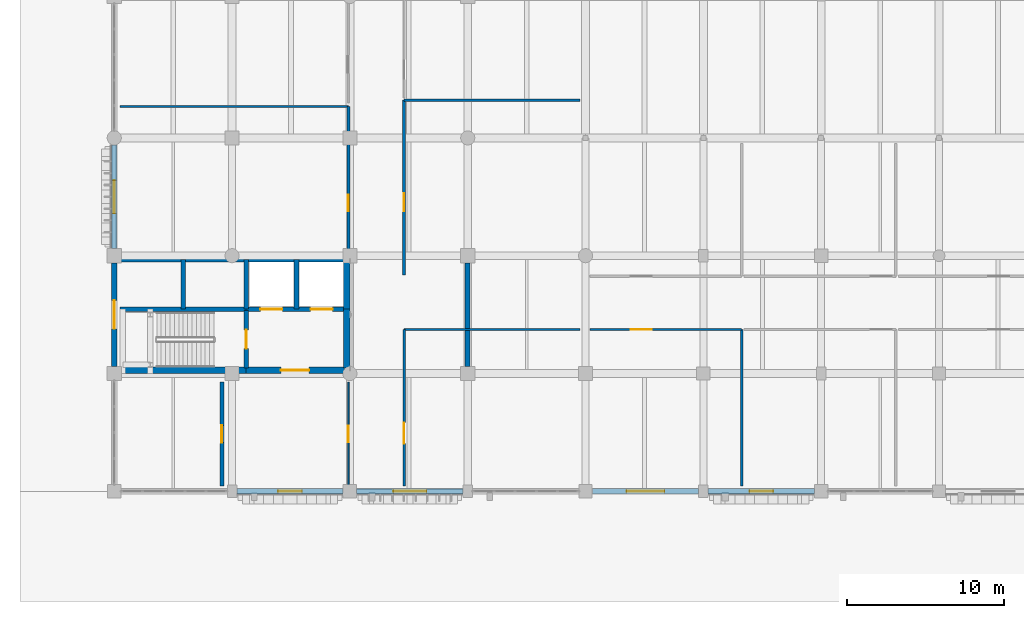
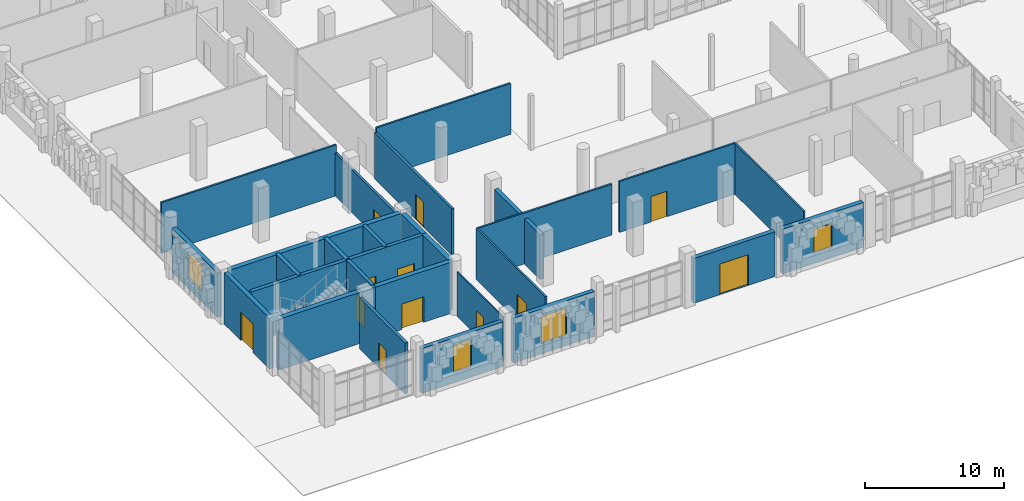
# One storey, part 90 of 125: 28 walls, 12 doors, 4 windows, 16 openings.
"""IFC4 building model written with IfcOpenShell, lengths in metres."""

from ifc_helpers import new_model, si_unit, direction, frame, frame_2d, origin, place, context, subcontext, project, spatial, rectangle, extrude, material, layer, layer_set, type_object, element, fill, save


model = new_model("IFC4")

# Units and contexts
model_context = context("Model", 3, precision=1e-05, world=origin(), true_north=direction((0.0, 1.0)))
body_context = subcontext(model_context, "Body", "Model", "MODEL_VIEW")
ifc_project = project(units=[si_unit("LENGTHUNIT", "METRE"), si_unit("AREAUNIT", "SQUARE_METRE"), si_unit("VOLUMEUNIT", "CUBIC_METRE"), si_unit("PLANEANGLEUNIT", "RADIAN"), si_unit("MASSUNIT", "GRAM", prefix="KILO")], contexts=[model_context])

# Site, building, storey
site_placement = place(None, origin())
site = spatial("IfcSite", under=ifc_project, at=site_placement, CompositionType="ELEMENT")
building_placement = place(site_placement, origin())
building = spatial("IfcBuilding", under=site, at=building_placement, Name="Dalvernix Boulevard General Hospital", CompositionType="ELEMENT")
storey_placement = place(building_placement, origin())
storey = spatial("IfcBuildingStorey", under=building, at=storey_placement, Name="L00", CompositionType="ELEMENT", Elevation=0.0)

# Wall
ifc_material_1 = material(Name="Concrete C40/50", Category="concrete")
ifc_layer_1 = layer(ifc_material_1, 0.39990234375)
ifc_layer_set_1 = layer_set([ifc_layer_1], Name="Concrete C40/50 (WAL-CSW-01)")
wall_type_1 = type_object("IfcWallType", Name="WAL-CSW-01", PredefinedType="SHEAR", material=ifc_layer_set_1)
wall_1_placement = place(storey_placement, frame((0.35009765625, 7.699951171875, 0.0), z_axis=(0.0, 0.0, 1.0), x_axis=(1.0, 0.0, 0.0)))
element("IfcWall", 1, at=wall_1_placement, inside=storey, type_object=wall_type_1, Name="L00 C1 south stairwell wall", PredefinedType="SHEAR", context=body_context, shape_type="SweptSolid", body=[
    extrude(rectangle(XDim=8.0498046875, YDim=0.39990234375, at=frame_2d((4.02490234375, 0.0))), origin(), (0.0, 0.0, 1.0), 4.5),
])

# Wall, opening, door
wall_2_placement = place(storey_placement, frame((8.39990234375, 7.699951171875, 0.0), z_axis=(0.0, 0.0, 1.0), x_axis=(1.0, 0.0, 0.0)))
wall_2 = element("IfcWall", 2, at=wall_2_placement, inside=storey, type_object=wall_type_1, Name="L00 C1 south firefighting lobby wall", PredefinedType="SHEAR", context=body_context, shape_type="SweptSolid", body=[
    extrude(rectangle(XDim=6.25, YDim=0.39990234375, at=frame_2d((3.125, 0.0))), origin(), (0.0, 0.0, 1.0), 4.5),
])
opening_1_placement = place(wall_2_placement, frame((2.199951171875, 0.0, 0.0)))
opening_1 = element("IfcOpeningElement", 3, at=opening_1_placement, cuts=wall_2, Name="Opening FD-01", PredefinedType="OPENING", context=body_context, shape_type="SweptSolid", body=[
    extrude(rectangle(XDim=1.800048828125, YDim=2.25, at=frame_2d((0.89990234375, 1.125))), frame((0.0, 0.2099609375, 0.0), z_axis=(0.0, -1.0, 0.0), x_axis=(1.0, 0.0, 0.0)), (0.0, 0.0, 1.0), 0.419921875),
])
ifc_material_2 = material(Name="Hospital laminate acoustic timber and steel frame", Category="steel")
door_type_1 = type_object("IfcDoorType", Name="DR-FD-01", OperationType="DOUBLE_DOOR_SINGLE_SWING", PredefinedType="DOOR", material=ifc_material_2)
door_1_placement = place(opening_1_placement, origin())
door_1 = element("IfcDoor", 4, at=door_1_placement, inside=storey, type_object=door_type_1, Name="L00 C1 firefighting lobby door", OperationType="DOUBLE_DOOR_SINGLE_SWING", OverallHeight=2.25, OverallWidth=1.800048828125, PredefinedType="DOOR", context=body_context, shape_type="SweptSolid", body=[
    extrude(rectangle(XDim=1.800048828125, YDim=2.25, at=frame_2d((0.89990234375, 1.125))), frame((0.0, 0.02490234375, 0.0), z_axis=(0.0, -1.0, 0.0), x_axis=(1.0, 0.0, 0.0)), (0.0, 0.0, 1.0), 0.050048828125),
])
fill(opening_1, door_1)

# Walls
wall_3_placement = place(storey_placement, frame((0.35009765625, 14.800048828125, 0.0), z_axis=(0.0, 0.0, 1.0), x_axis=(1.0, 0.0, 0.0)))
element("IfcWall", 5, at=wall_3_placement, inside=storey, type_object=wall_type_1, Name="L00 C1 north shaft core wall", PredefinedType="SHEAR", context=body_context, shape_type="SweptSolid", body=[
    extrude(rectangle(XDim=14.2998046875, YDim=0.39990234375, at=frame_2d((7.14990234375, 0.0))), origin(), (0.0, 0.0, 1.0), 4.5),
])
wall_4_placement = place(storey_placement, frame((14.800048828125, 7.85009765625, 0.0), z_axis=(0.0, 0.0, 1.0), x_axis=(0.0, 1.0, 0.0)))
element("IfcWall", 6, at=wall_4_placement, inside=storey, type_object=wall_type_1, Name="L00 C1 east lobby core wall", PredefinedType="SHEAR", context=body_context, shape_type="SweptSolid", body=[
    extrude(rectangle(XDim=3.75, YDim=0.39990234375, at=frame_2d((1.875, 0.0))), origin(), (0.0, 0.0, 1.0), 4.5),
])
wall_5_placement = place(storey_placement, frame((14.800048828125, 11.60009765625, 0.0), z_axis=(0.0, 0.0, 1.0), x_axis=(0.0, 1.0, 0.0)))
element("IfcWall", 7, at=wall_5_placement, inside=storey, type_object=wall_type_1, Name="L00 C1 east shaft core wall", PredefinedType="SHEAR", context=body_context, shape_type="SweptSolid", body=[
    extrude(rectangle(XDim=3.0498046875, YDim=0.39990234375, at=frame_2d((1.52490234375, 0.0))), origin(), (0.0, 0.0, 1.0), 4.5),
])
ifc_layer_2 = layer(ifc_material_1, 0.300048828125)
ifc_layer_set_2 = layer_set([ifc_layer_2], Name="Concrete C40/50 (WAL-CSW-02)")
wall_type_2 = type_object("IfcWallType", Name="WAL-CSW-02", PredefinedType="SHEAR", material=ifc_layer_set_2)
wall_6_placement = place(storey_placement, frame((0.35009765625, 11.60009765625, 0.0), z_axis=(0.0, 0.0, 1.0), x_axis=(1.0, 0.0, 0.0)))
element("IfcWall", 8, at=wall_6_placement, inside=storey, type_object=wall_type_2, Name="L00 C1 riser spine wall", PredefinedType="SHEAR", context=body_context, shape_type="SweptSolid", body=[
    extrude(rectangle(XDim=8.0498046875, YDim=0.300048828125, at=frame_2d((4.02490234375, 0.0))), origin(), (0.0, 0.0, 1.0), 4.5),
])

# Wall, openings, doors
wall_7_placement = place(storey_placement, frame((8.39990234375, 11.60009765625, 0.0), z_axis=(0.0, 0.0, 1.0), x_axis=(1.0, 0.0, 0.0)))
wall_7 = element("IfcWall", 9, at=wall_7_placement, inside=storey, type_object=wall_type_2, Name="L00 C1 lift shaft front wall", PredefinedType="SHEAR", context=body_context, shape_type="SweptSolid", body=[
    extrude(rectangle(XDim=6.25, YDim=0.300048828125, at=frame_2d((3.125, 0.0))), origin(), (0.0, 0.0, 1.0), 4.5),
])
opening_2_placement = place(wall_7_placement, frame((0.89990234375, 0.0, 0.0)))
opening_2 = element("IfcOpeningElement", 10, at=opening_2_placement, cuts=wall_7, Name="Opening LD-FFL-01-L00", PredefinedType="OPENING", context=body_context, shape_type="SweptSolid", body=[
    extrude(rectangle(XDim=1.39990234375, YDim=2.25, at=frame_2d((0.699951171875, 1.125))), frame((0.0, 0.159912109375, 0.0), z_axis=(0.0, -1.0, 0.0), x_axis=(1.0, 0.0, 0.0)), (0.0, 0.0, 1.0), 0.320068359375),
])
opening_3_placement = place(wall_7_placement, frame((4.10009765625, 0.0, 0.0)))
opening_3 = element("IfcOpeningElement", 11, at=opening_3_placement, cuts=wall_7, Name="Opening LD-FFL-02-L00", PredefinedType="OPENING", context=body_context, shape_type="SweptSolid", body=[
    extrude(rectangle(XDim=1.39990234375, YDim=2.25, at=frame_2d((0.699951171875, 1.125))), frame((0.0, 0.159912109375, 0.0), z_axis=(0.0, -1.0, 0.0), x_axis=(1.0, 0.0, 0.0)), (0.0, 0.0, 1.0), 0.320068359375),
])
ifc_material_3 = material(Name="Stainless-clad steel", Category="steel")
door_type_2 = type_object("IfcDoorType", Name="DR-LD-01", OperationType="DOUBLE_DOOR_SLIDING", PredefinedType="DOOR", material=ifc_material_3)
door_2_placement = place(opening_2_placement, origin())
door_2 = element("IfcDoor", 12, at=door_2_placement, inside=storey, type_object=door_type_2, Name="L00 Lift FFL-01 sliding landing door", OperationType="DOUBLE_DOOR_SLIDING", OverallHeight=2.25, OverallWidth=1.39990234375, PredefinedType="DOOR", context=body_context, shape_type="SweptSolid", body=[
    extrude(rectangle(XDim=1.39990234375, YDim=2.25, at=frame_2d((0.699951171875, 1.125))), frame((0.0, 0.02490234375, 0.0), z_axis=(0.0, -1.0, 0.0), x_axis=(1.0, 0.0, 0.0)), (0.0, 0.0, 1.0), 0.050048828125),
])
fill(opening_2, door_2)
door_3_placement = place(opening_3_placement, origin())
door_3 = element("IfcDoor", 13, at=door_3_placement, inside=storey, type_object=door_type_2, Name="L00 Lift FFL-02 sliding landing door", OperationType="DOUBLE_DOOR_SLIDING", OverallHeight=2.25, OverallWidth=1.39990234375, PredefinedType="DOOR", context=body_context, shape_type="SweptSolid", body=[
    extrude(rectangle(XDim=1.39990234375, YDim=2.25, at=frame_2d((0.699951171875, 1.125))), frame((0.0, 0.02490234375, 0.0), z_axis=(0.0, -1.0, 0.0), x_axis=(1.0, 0.0, 0.0)), (0.0, 0.0, 1.0), 0.050048828125),
])
fill(opening_3, door_3)

# Wall, opening, door
wall_8_placement = place(storey_placement, frame((8.39990234375, 11.5, 0.0), z_axis=(0.0, 0.0, 1.0), x_axis=(0.0, -1.0, 0.0)))
wall_8 = element("IfcWall", 14, at=wall_8_placement, inside=storey, type_object=wall_type_2, Name="L00 C1 stairwell fire wall", PredefinedType="SHEAR", context=body_context, shape_type="SweptSolid", body=[
    extrude(rectangle(XDim=3.64990234375, YDim=0.300048828125, at=frame_2d((1.824951171875, 0.0))), origin(), (0.0, 0.0, 1.0), 4.5),
])
opening_4_placement = place(wall_8_placement, frame((1.219970703125, 0.0, 0.0)))
opening_4 = element("IfcOpeningElement", 15, at=opening_4_placement, cuts=wall_8, Name="Opening FD-02", PredefinedType="OPENING", context=body_context, shape_type="SweptSolid", body=[
    extrude(rectangle(XDim=1.199951171875, YDim=2.25, at=frame_2d((0.60009765625, 1.125))), frame((0.0, 0.159912109375, 0.0), z_axis=(0.0, -1.0, 0.0), x_axis=(1.0, 0.0, 0.0)), (0.0, 0.0, 1.0), 0.320068359375),
])
door_type_3 = type_object("IfcDoorType", Name="DR-FD-02", OperationType="NOTDEFINED", PredefinedType="DOOR", material=ifc_material_2)
door_4_placement = place(opening_4_placement, origin())
door_4 = element("IfcDoor", 16, at=door_4_placement, inside=storey, type_object=door_type_3, Name="L00 Stair ST-01 fire door", OperationType="SINGLE_SWING_RIGHT", OverallHeight=2.25, OverallWidth=1.199951171875, PredefinedType="DOOR", context=body_context, shape_type="SweptSolid", body=[
    extrude(rectangle(XDim=1.199951171875, YDim=2.25, at=frame_2d((0.60009765625, 1.125))), frame((0.0, 0.02490234375, 0.0), z_axis=(0.0, -1.0, 0.0), x_axis=(1.0, 0.0, 0.0)), (0.0, 0.0, 1.0), 0.050048828125),
])
fill(opening_4, door_4)

# Walls
for number, where, z_axis, x_axis, name in (
    (17, (4.39990234375, 11.60009765625, 0.0), (0.0, 0.0, 1.0), (0.0, 1.0, 0.0), "L00 C1 shaft divider R1"),
    (18, (8.39990234375, 11.60009765625, 0.0), (0.0, 0.0, 1.0), (0.0, 1.0, 0.0), "L00 C1 shaft divider R2"),
    (19, (11.60009765625, 11.60009765625, 0.0), (0.0, 0.0, 1.0), (0.0, 1.0, 0.0), "L00 C1 shaft divider L1"),
):
    element("IfcWall", number, at=place(storey_placement, frame(where, z_axis=z_axis, x_axis=x_axis)), inside=storey, type_object=wall_type_2, Name=name, PredefinedType="SHEAR", context=body_context, shape_type="SweptSolid", body=[
        extrude(rectangle(XDim=3.14990234375, YDim=0.300048828125, at=frame_2d((1.574951171875, 0.0))), origin(), (0.0, 0.0, 1.0), 4.5),
    ])

# Wall, opening, door
ifc_layer_3 = layer(ifc_material_1, 0.35009765625)
ifc_layer_set_3 = layer_set([ifc_layer_3], Name="Concrete C40/50 (WAL-ESW-01)")
wall_type_3 = type_object("IfcWallType", Name="WAL-ESW-01", PredefinedType="SHEAR", material=ifc_layer_set_3)
wall_9_placement = place(storey_placement, frame((0.0, 7.9599609375, 0.0), z_axis=(0.0, 0.0, 1.0), x_axis=(0.0, 1.0, 0.0)))
wall_9 = element("IfcWall", 20, at=wall_9_placement, inside=storey, type_object=wall_type_3, Name="L00 core perimeter shear wall W 0-1", PredefinedType="SHEAR", context=body_context, shape_type="SweptSolid", body=[
    extrude(rectangle(XDim=6.580078125, YDim=0.35009765625, at=frame_2d((3.2900390625, 0.0))), origin(), (0.0, 0.0, 1.0), 4.5),
])
opening_5_placement = place(wall_9_placement, frame((2.389892578125, 0.0, 0.0)))
opening_5 = element("IfcOpeningElement", 21, at=opening_5_placement, cuts=wall_9, Name="Opening ED-18", PredefinedType="OPENING", context=body_context, shape_type="SweptSolid", body=[
    extrude(rectangle(XDim=1.800048828125, YDim=2.5, at=frame_2d((0.89990234375, 1.25))), frame((0.0, 0.18505859375, 0.0), z_axis=(0.0, -1.0, 0.0), x_axis=(1.0, 0.0, 0.0)), (0.0, 0.0, 1.0), 0.3701171875),
])
ifc_material_4 = material(Name="Galvanized painted steel", Category="steel")
door_type_4 = type_object("IfcDoorType", Name="DR-ED-18", OperationType="DOUBLE_DOOR_SINGLE_SWING", PredefinedType="DOOR", material=ifc_material_4)
door_5_placement = place(opening_5_placement, origin())
door_5 = element("IfcDoor", 22, at=door_5_placement, inside=storey, type_object=door_type_4, Name="Final Exit Door ED-L00-01 (Core C1)", OperationType="DOUBLE_DOOR_SINGLE_SWING", OverallHeight=2.5, OverallWidth=1.800048828125, PredefinedType="DOOR", context=body_context, shape_type="SweptSolid", body=[
    extrude(rectangle(XDim=1.800048828125, YDim=2.5, at=frame_2d((0.89990234375, 1.25))), frame((0.0, 0.02490234375, 0.0), z_axis=(0.0, -1.0, 0.0), x_axis=(1.0, 0.0, 0.0)), (0.0, 0.0, 1.0), 0.050048828125),
])
fill(opening_5, door_5)

# Wall
ifc_layer_4 = layer(ifc_material_1, 0.320068359375)
ifc_layer_set_4 = layer_set([ifc_layer_4], Name="Concrete C40/50 (WAL-ESW-02)")
wall_type_4 = type_object("IfcWallType", Name="WAL-ESW-02", PredefinedType="SHEAR", material=ifc_layer_set_4)
wall_10_placement = place(storey_placement, frame((22.5, 7.949951171875, 0.0), z_axis=(0.0, 0.0, 1.0), x_axis=(0.0, 1.0, 0.0)))
element("IfcWall", 23, at=wall_10_placement, inside=storey, type_object=wall_type_4, Name="L00 reinforced concrete shear wall 1", PredefinedType="SHEAR", context=body_context, shape_type="SweptSolid", body=[
    extrude(rectangle(XDim=6.60009765625, YDim=0.320068359375, at=frame_2d((3.300048828125, 0.0))), origin(), (0.0, 0.0, 1.0), 3.949951171875),
])

# Wall, opening, window
ifc_material_5 = material(Name="Pressed Catalan clay brick and insulated concrete cavity wall C35/45", Category="masonry")
ifc_layer_5 = layer(ifc_material_5, 0.35009765625)
ifc_layer_set_5 = layer_set([ifc_layer_5], Name="Pressed Catalan clay brick and insulated concrete cavity wall C35/45 (WAL-EW-01)")
wall_type_5 = type_object("IfcWallType", Name="WAL-EW-01", PredefinedType="STANDARD", material=ifc_layer_set_5)
wall_11_placement = place(storey_placement, frame((0.0, 15.4599609375, 0.0), z_axis=(0.0, 0.0, 1.0), x_axis=(0.0, 1.0, 0.0)))
wall_11 = element("IfcWall", 24, at=wall_11_placement, inside=storey, type_object=wall_type_5, Name="L00 Catalan brick external wall W 0-2", PredefinedType="STANDARD", context=body_context, shape_type="SweptSolid", body=[
    extrude(rectangle(XDim=6.580078125, YDim=0.35009765625, at=frame_2d((3.2900390625, 0.0))), origin(), (0.0, 0.0, 1.0), 3.89990234375),
])
opening_6_placement = place(wall_11_placement, frame((2.239990234375, 0.0, 0.89990234375)))
opening_6 = element("IfcOpeningElement", 25, at=opening_6_placement, cuts=wall_11, Name="Opening WN-03", PredefinedType="OPENING", context=body_context, shape_type="SweptSolid", body=[
    extrude(rectangle(XDim=2.10009765625, YDim=2.39990234375, at=frame_2d((1.050048828125, 1.199951171875))), frame((0.0, 0.18505859375, 0.0), z_axis=(0.0, -1.0, 0.0), x_axis=(1.0, 0.0, 0.0)), (0.0, 0.0, 1.0), 0.3701171875),
])
ifc_material_6 = material(Name="Thermally broken aluminium frame with solar-control double glazing", Category="aluminium")
window_type_1 = type_object("IfcWindowType", Name="WIN-WN-03", PartitioningType="SINGLE_PANEL", PredefinedType="WINDOW", material=ifc_material_6)
window_1_placement = place(opening_6_placement, origin())
window_1 = element("IfcWindow", 26, at=window_1_placement, inside=storey, type_object=window_type_1, Name="L00 clinical window WN-03 W 0-2", OverallHeight=2.39990234375, OverallWidth=2.10009765625, PartitioningType="SINGLE_PANEL", PredefinedType="WINDOW", context=body_context, shape_type="SweptSolid", body=[
    extrude(rectangle(XDim=2.10009765625, YDim=2.39990234375, at=frame_2d((1.050048828125, 1.199951171875))), frame((0.0, 0.030029296875, 0.0), z_axis=(0.0, -1.0, 0.0), x_axis=(1.0, 0.0, 0.0)), (0.0, 0.0, 1.0), 0.06005859375),
])
fill(opening_6, window_1)

wall_12_placement = place(storey_placement, frame((14.56494140625, 0.0, 0.0), z_axis=(0.0, 0.0, 1.0), x_axis=(-1.0, 0.0, 0.0)))
wall_12 = element("IfcWall", 27, at=wall_12_placement, inside=storey, type_object=wall_type_5, Name="L00 Catalan brick external wall S 1-0", PredefinedType="STANDARD", context=body_context, shape_type="SweptSolid", body=[
    extrude(rectangle(XDim=6.7548828125, YDim=0.35009765625, at=frame_2d((3.37744140625, 0.0))), origin(), (0.0, 0.0, 1.0), 3.949951171875),
])
opening_7_placement = place(wall_12_placement, frame((2.62744140625, 0.0, 0.89990234375)))
opening_7 = element("IfcOpeningElement", 28, at=opening_7_placement, cuts=wall_12, Name="Opening WN-02", PredefinedType="OPENING", context=body_context, shape_type="SweptSolid", body=[
    extrude(rectangle(XDim=1.5, YDim=2.39990234375, at=frame_2d((0.75, 1.199951171875))), frame((0.0, 0.18505859375, 0.0), z_axis=(0.0, -1.0, 0.0), x_axis=(1.0, 0.0, 0.0)), (0.0, 0.0, 1.0), 0.3701171875),
])
window_type_2 = type_object("IfcWindowType", Name="WIN-WN-02", PartitioningType="SINGLE_PANEL", PredefinedType="WINDOW", material=ifc_material_6)
window_2_placement = place(opening_7_placement, origin())
window_2 = element("IfcWindow", 29, at=window_2_placement, inside=storey, type_object=window_type_2, Name="L00 clinical window WN-02 S 1-0", OverallHeight=2.39990234375, OverallWidth=1.5, PartitioningType="SINGLE_PANEL", PredefinedType="WINDOW", context=body_context, shape_type="SweptSolid", body=[
    extrude(rectangle(XDim=1.5, YDim=2.39990234375, at=frame_2d((0.75, 1.199951171875))), frame((0.0, 0.030029296875, 0.0), z_axis=(0.0, -1.0, 0.0), x_axis=(1.0, 0.0, 0.0)), (0.0, 0.0, 1.0), 0.06005859375),
])
fill(opening_7, window_2)

wall_13_placement = place(storey_placement, frame((22.18994140625, 0.0, 0.0), z_axis=(0.0, 0.0, 1.0), x_axis=(-1.0, 0.0, 0.0)))
wall_13 = element("IfcWall", 30, at=wall_13_placement, inside=storey, type_object=wall_type_5, Name="L00 Catalan brick external wall S 2-0", PredefinedType="STANDARD", context=body_context, shape_type="SweptSolid", body=[
    extrude(rectangle(XDim=6.7548828125, YDim=0.35009765625, at=frame_2d((3.37744140625, 0.0))), origin(), (0.0, 0.0, 1.0), 3.949951171875),
])
opening_8_placement = place(wall_13_placement, frame((2.327392578125, 0.0, 0.89990234375)))
opening_8 = element("IfcOpeningElement", 31, at=opening_8_placement, cuts=wall_13, Name="Opening WN-03", PredefinedType="OPENING", context=body_context, shape_type="SweptSolid", body=[
    extrude(rectangle(XDim=2.10009765625, YDim=2.39990234375, at=frame_2d((1.050048828125, 1.199951171875))), frame((0.0, 0.18505859375, 0.0), z_axis=(0.0, -1.0, 0.0), x_axis=(1.0, 0.0, 0.0)), (0.0, 0.0, 1.0), 0.3701171875),
])
window_3_placement = place(opening_8_placement, origin())
window_3 = element("IfcWindow", 32, at=window_3_placement, inside=storey, type_object=window_type_1, Name="L00 clinical window WN-03 S 2-0", OverallHeight=2.39990234375, OverallWidth=2.10009765625, PartitioningType="SINGLE_PANEL", PredefinedType="WINDOW", context=body_context, shape_type="SweptSolid", body=[
    extrude(rectangle(XDim=2.10009765625, YDim=2.39990234375, at=frame_2d((1.050048828125, 1.199951171875))), frame((0.0, 0.030029296875, 0.0), z_axis=(0.0, -1.0, 0.0), x_axis=(1.0, 0.0, 0.0)), (0.0, 0.0, 1.0), 0.06005859375),
])
fill(opening_8, window_3)

# Wall, opening, door
wall_14_placement = place(storey_placement, frame((37.18994140625, 0.0, 0.0), z_axis=(0.0, 0.0, 1.0), x_axis=(-1.0, 0.0, 0.0)))
wall_14 = element("IfcWall", 33, at=wall_14_placement, inside=storey, type_object=wall_type_5, Name="L00 Catalan brick external wall S 4-0", PredefinedType="STANDARD", context=body_context, shape_type="SweptSolid", body=[
    extrude(rectangle(XDim=6.7548828125, YDim=0.35009765625, at=frame_2d((3.37744140625, 0.0))), origin(), (0.0, 0.0, 1.0), 3.949951171875),
])
opening_9_placement = place(wall_14_placement, frame((2.177490234375, 0.0, 0.0)))
opening_9 = element("IfcOpeningElement", 34, at=opening_9_placement, cuts=wall_14, Name="Opening ED-24", PredefinedType="OPENING", context=body_context, shape_type="SweptSolid", body=[
    extrude(rectangle(XDim=2.39990234375, YDim=2.699951171875, at=frame_2d((1.199951171875, 1.35009765625))), frame((0.0, 0.18505859375, 0.0), z_axis=(0.0, -1.0, 0.0), x_axis=(1.0, 0.0, 0.0)), (0.0, 0.0, 1.0), 0.3701171875),
])
ifc_material_7 = material(Name="Powder-coated aluminium and laminated safety glass", Category="aluminium")
door_type_5 = type_object("IfcDoorType", Name="DR-ED-24", OperationType="DOUBLE_DOOR_SINGLE_SWING", PredefinedType="DOOR", material=ifc_material_7)
door_6_placement = place(opening_9_placement, origin())
door_6 = element("IfcDoor", 35, at=door_6_placement, inside=storey, type_object=door_type_5, Name="West Pavilion Main Exit Door ED-L00-09", OperationType="DOUBLE_DOOR_SINGLE_SWING", OverallHeight=2.699951171875, OverallWidth=2.39990234375, PredefinedType="DOOR", context=body_context, shape_type="SweptSolid", body=[
    extrude(rectangle(XDim=2.39990234375, YDim=2.699951171875, at=frame_2d((1.199951171875, 1.35009765625))), frame((0.0, 0.02490234375, 0.0), z_axis=(0.0, -1.0, 0.0), x_axis=(1.0, 0.0, 0.0)), (0.0, 0.0, 1.0), 0.050048828125),
])
fill(opening_9, door_6)

# Wall, opening, window
wall_15_placement = place(storey_placement, frame((44.56494140625, 0.0, 0.0), z_axis=(0.0, 0.0, 1.0), x_axis=(-1.0, 0.0, 0.0)))
wall_15 = element("IfcWall", 36, at=wall_15_placement, inside=storey, type_object=wall_type_5, Name="L00 Catalan brick external wall S 5-0", PredefinedType="STANDARD", context=body_context, shape_type="SweptSolid", body=[
    extrude(rectangle(XDim=6.7548828125, YDim=0.35009765625, at=frame_2d((3.37744140625, 0.0))), origin(), (0.0, 0.0, 1.0), 3.949951171875),
])
opening_10_placement = place(wall_15_placement, frame((2.62744140625, 0.0, 0.89990234375)))
opening_10 = element("IfcOpeningElement", 37, at=opening_10_placement, cuts=wall_15, Name="Opening WN-06", PredefinedType="OPENING", context=body_context, shape_type="SweptSolid", body=[
    extrude(rectangle(XDim=1.5, YDim=2.10009765625, at=frame_2d((0.75, 1.050048828125))), frame((0.0, 0.18505859375, 0.0), z_axis=(0.0, -1.0, 0.0), x_axis=(1.0, 0.0, 0.0)), (0.0, 0.0, 1.0), 0.3701171875),
])
window_type_3 = type_object("IfcWindowType", Name="WIN-WN-06", PartitioningType="SINGLE_PANEL", PredefinedType="WINDOW", material=ifc_material_6)
window_4_placement = place(opening_10_placement, origin())
window_4 = element("IfcWindow", 38, at=window_4_placement, inside=storey, type_object=window_type_3, Name="L00 clinical window WN-06 S 5-0", OverallHeight=2.10009765625, OverallWidth=1.5, PartitioningType="SINGLE_PANEL", PredefinedType="WINDOW", context=body_context, shape_type="SweptSolid", body=[
    extrude(rectangle(XDim=1.5, YDim=2.10009765625, at=frame_2d((0.75, 1.050048828125))), frame((0.0, 0.030029296875, 0.0), z_axis=(0.0, -1.0, 0.0), x_axis=(1.0, 0.0, 0.0)), (0.0, 0.0, 1.0), 0.06005859375),
])
fill(opening_10, window_4)

# Wall, opening, door
ifc_material_8 = material(Name="Acoustic fire-rated masonry clinical wall", Category="masonry")
ifc_layer_6 = layer(ifc_material_8, 0.25)
ifc_layer_set_6 = layer_set([ifc_layer_6], Name="Acoustic fire-rated masonry clinical wall (WAL-IW-01)")
wall_type_6 = type_object("IfcWallType", Name="WAL-IW-01", PredefinedType="STANDARD", material=ifc_layer_set_6)
wall_16_placement = place(storey_placement, frame((6.85009765625, 0.35009765625, 0.0), z_axis=(0.0, 0.0, 1.0), x_axis=(0.0, 1.0, 0.0)))
wall_16 = element("IfcWall", 39, at=wall_16_placement, inside=storey, type_object=wall_type_6, Name="L00 Fire Command Room corridor wall", PredefinedType="STANDARD", context=body_context, shape_type="SweptSolid", body=[
    extrude(rectangle(XDim=6.599853515625, YDim=0.25, at=frame_2d((3.2998046875, 0.0))), origin(), (0.0, 0.0, 1.0), 4.485107421875),
])
opening_11_placement = place(wall_16_placement, frame((2.75, 0.0, 0.0)))
opening_11 = element("IfcOpeningElement", 40, at=opening_11_placement, cuts=wall_16, Name="Opening FD-04", PredefinedType="OPENING", context=body_context, shape_type="SweptSolid", body=[
    extrude(rectangle(XDim=1.10009765625, YDim=2.199951171875, at=frame_2d((0.550048828125, 1.10009765625))), frame((0.0, 0.135009765625, 0.0), z_axis=(0.0, -1.0, 0.0), x_axis=(1.0, 0.0, 0.0)), (0.0, 0.0, 1.0), 0.27001953125),
])
door_type_6 = type_object("IfcDoorType", Name="DR-FD-04", OperationType="NOTDEFINED", PredefinedType="DOOR", material=ifc_material_2)
door_7_placement = place(opening_11_placement, origin())
door_7 = element("IfcDoor", 41, at=door_7_placement, inside=storey, type_object=door_type_6, Name="L00 Fire Command Room door", OperationType="SINGLE_SWING_RIGHT", OverallHeight=2.199951171875, OverallWidth=1.10009765625, PredefinedType="DOOR", context=body_context, shape_type="SweptSolid", body=[
    extrude(rectangle(XDim=1.10009765625, YDim=2.199951171875, at=frame_2d((0.550048828125, 1.10009765625))), frame((0.0, 0.02490234375, 0.0), z_axis=(0.0, -1.0, 0.0), x_axis=(1.0, 0.0, 0.0)), (0.0, 0.0, 1.0), 0.050048828125),
])
fill(opening_11, door_7)

ifc_material_9 = material(Name="Fire-compartment corridor masonry wall", Category="masonry")
ifc_layer_7 = layer(ifc_material_9, 0.199951171875)
ifc_layer_set_7 = layer_set([ifc_layer_7], Name="Fire-compartment corridor masonry wall (WAL-IW-02)")
wall_type_7 = type_object("IfcWallType", Name="WAL-IW-02", PredefinedType="STANDARD", material=ifc_layer_set_7)
wall_17_placement = place(storey_placement, frame((14.89990234375, 15.300048828125, 0.0), z_axis=(0.0, 0.0, 1.0), x_axis=(0.0, 1.0, 0.0)))
wall_17 = element("IfcWall", 42, at=wall_17_placement, inside=storey, type_object=wall_type_7, Name="L00 Outpatient Triage and Vital Signs Room corridor wall", PredefinedType="STANDARD", context=body_context, shape_type="SweptSolid", body=[
    extrude(rectangle(XDim=9.199951171875, YDim=0.199951171875, at=frame_2d((4.60009765625, 0.0))), origin(), (0.0, 0.0, 1.0), 3.784912109375),
])
opening_12_placement = place(wall_17_placement, frame((2.544921875, 0.0, 0.0)))
opening_12 = element("IfcOpeningElement", 43, at=opening_12_placement, cuts=wall_17, Name="Opening ID-07", PredefinedType="OPENING", context=body_context, shape_type="SweptSolid", body=[
    extrude(rectangle(XDim=1.050048828125, YDim=2.199951171875, at=frame_2d((0.52490234375, 1.10009765625))), frame((0.0, 0.10986328125, 0.0), z_axis=(0.0, -1.0, 0.0), x_axis=(1.0, 0.0, 0.0)), (0.0, 0.0, 1.0), 0.219970703125),
])
door_type_7 = type_object("IfcDoorType", Name="DR-ID-07", OperationType="NOTDEFINED", PredefinedType="DOOR", material=ifc_material_2)
door_8_placement = place(opening_12_placement, origin())
door_8 = element("IfcDoor", 44, at=door_8_placement, inside=storey, type_object=door_type_7, Name="L00 Outpatient Triage and Vital Signs Room door", OperationType="SINGLE_SWING_RIGHT", OverallHeight=2.199951171875, OverallWidth=1.050048828125, PredefinedType="DOOR", context=body_context, shape_type="SweptSolid", body=[
    extrude(rectangle(XDim=1.050048828125, YDim=2.199951171875, at=frame_2d((0.52490234375, 1.10009765625))), frame((0.0, 0.02490234375, 0.0), z_axis=(0.0, -1.0, 0.0), x_axis=(1.0, 0.0, 0.0)), (0.0, 0.0, 1.0), 0.050048828125),
])
fill(opening_12, door_8)

wall_18_placement = place(storey_placement, frame((18.449951171875, 24.898681640625, 0.0), z_axis=(0.0, 0.0, 1.0), x_axis=(0.0, -1.0, 0.0)))
wall_18 = element("IfcWall", 45, at=wall_18_placement, inside=storey, type_object=wall_type_7, Name="L00 Ward Nurse Station and Medication Prep L00 corridor wall", PredefinedType="STANDARD", context=body_context, shape_type="SweptSolid", body=[
    extrude(rectangle(XDim=11.11865234375, YDim=0.199951171875, at=frame_2d((5.559326171875, 0.0))), origin(), (0.0, 0.0, 1.0), 4.0849609375),
])
opening_13_placement = place(wall_18_placement, frame((5.93115234375, 0.0, 0.0)))
opening_13 = element("IfcOpeningElement", 46, at=opening_13_placement, cuts=wall_18, Name="Opening ID-08", PredefinedType="OPENING", context=body_context, shape_type="SweptSolid", body=[
    extrude(rectangle(XDim=1.14990234375, YDim=2.199951171875, at=frame_2d((0.574951171875, 1.10009765625))), frame((0.0, 0.10986328125, 0.0), z_axis=(0.0, -1.0, 0.0), x_axis=(1.0, 0.0, 0.0)), (0.0, 0.0, 1.0), 0.219970703125),
])
door_type_8 = type_object("IfcDoorType", Name="DR-ID-08", OperationType="NOTDEFINED", PredefinedType="DOOR", material=ifc_material_2)
door_9_placement = place(opening_13_placement, origin())
door_9 = element("IfcDoor", 47, at=door_9_placement, inside=storey, type_object=door_type_8, Name="L00 Ward Nurse Station and Medication Prep L00 door", OperationType="SINGLE_SWING_RIGHT", OverallHeight=2.199951171875, OverallWidth=1.14990234375, PredefinedType="DOOR", context=body_context, shape_type="SweptSolid", body=[
    extrude(rectangle(XDim=1.14990234375, YDim=2.199951171875, at=frame_2d((0.574951171875, 1.10009765625))), frame((0.0, 0.02490234375, 0.0), z_axis=(0.0, -1.0, 0.0), x_axis=(1.0, 0.0, 0.0)), (0.0, 0.0, 1.0), 0.050048828125),
])
fill(opening_13, door_9)

ifc_material_10 = material(Name="Acoustic double-stud gypsum inpatient partition")
ifc_layer_8 = layer(ifc_material_10, 0.14990234375)
ifc_layer_set_8 = layer_set([ifc_layer_8], Name="Acoustic double-stud gypsum inpatient partition (WAL-IW-04)")
wall_type_8 = type_object("IfcWallType", Name="WAL-IW-04", PredefinedType="PARTITIONING", material=ifc_layer_set_8)
wall_19_placement = place(storey_placement, frame((18.449951171875, 10.300048828125, 0.0), z_axis=(0.0, 0.0, 1.0), x_axis=(0.0, -1.0, 0.0)))
wall_19 = element("IfcWall", 48, at=wall_19_placement, inside=storey, type_object=wall_type_8, Name="L00 Clinical Reception and Triage L00 corridor wall", PredefinedType="PARTITIONING", context=body_context, shape_type="SweptSolid", body=[
    extrude(rectangle(XDim=9.949951171875, YDim=0.14990234375, at=frame_2d((4.97509765625, 0.0))), origin(), (0.0, 0.0, 1.0), 4.485107421875),
])
opening_14_placement = place(wall_19_placement, frame((5.919921875, 0.0, 0.0)))
opening_14 = element("IfcOpeningElement", 49, at=opening_14_placement, cuts=wall_19, Name="Opening ID-01", PredefinedType="OPENING", context=body_context, shape_type="SweptSolid", body=[
    extrude(rectangle(XDim=1.35009765625, YDim=2.25, at=frame_2d((0.675048828125, 1.125))), frame((0.0, 0.0849609375, 0.0), z_axis=(0.0, -1.0, 0.0), x_axis=(1.0, 0.0, 0.0)), (0.0, 0.0, 1.0), 0.169921875),
])
door_type_9 = type_object("IfcDoorType", Name="DR-ID-01", OperationType="NOTDEFINED", PredefinedType="DOOR", material=ifc_material_2)
door_10_placement = place(opening_14_placement, origin())
door_10 = element("IfcDoor", 50, at=door_10_placement, inside=storey, type_object=door_type_9, Name="L00 Clinical Reception and Triage L00 door", OperationType="SINGLE_SWING_LEFT", OverallHeight=2.25, OverallWidth=1.35009765625, PredefinedType="DOOR", context=body_context, shape_type="SweptSolid", body=[
    extrude(rectangle(XDim=1.35009765625, YDim=2.25, at=frame_2d((0.675048828125, 1.125))), frame((0.0, 0.02490234375, 0.0), z_axis=(0.0, -1.0, 0.0), x_axis=(1.0, 0.0, 0.0)), (0.0, 0.0, 1.0), 0.050048828125),
])
fill(opening_14, door_10)

wall_20_placement = place(storey_placement, frame((39.936767578125, 10.300048828125, 0.0), z_axis=(0.0, 0.0, 1.0), x_axis=(-1.0, 0.0, 0.0)))
wall_20 = element("IfcWall", 51, at=wall_20_placement, inside=storey, type_object=wall_type_8, Name="L00 Diagnostic Ultrasound Suite 1 corridor wall", PredefinedType="PARTITIONING", context=body_context, shape_type="SweptSolid", body=[
    extrude(rectangle(XDim=9.65673828125, YDim=0.14990234375, at=frame_2d((4.828369140625, 0.0))), origin(), (0.0, 0.0, 1.0), 4.485107421875),
])
opening_15_placement = place(wall_20_placement, frame((5.714599609375, 0.0, 0.0)))
opening_15 = element("IfcOpeningElement", 52, at=opening_15_placement, cuts=wall_20, Name="Opening ID-01", PredefinedType="OPENING", context=body_context, shape_type="SweptSolid", body=[
    extrude(rectangle(XDim=1.35009765625, YDim=2.25, at=frame_2d((0.675048828125, 1.125))), frame((0.0, 0.0849609375, 0.0), z_axis=(0.0, -1.0, 0.0), x_axis=(1.0, 0.0, 0.0)), (0.0, 0.0, 1.0), 0.169921875),
])
door_11_placement = place(opening_15_placement, origin())
door_11 = element("IfcDoor", 53, at=door_11_placement, inside=storey, type_object=door_type_9, Name="L00 Diagnostic Ultrasound Suite 1 door", OperationType="SINGLE_SWING_LEFT", OverallHeight=2.25, OverallWidth=1.35009765625, PredefinedType="DOOR", context=body_context, shape_type="SweptSolid", body=[
    extrude(rectangle(XDim=1.35009765625, YDim=2.25, at=frame_2d((0.675048828125, 1.125))), frame((0.0, 0.02490234375, 0.0), z_axis=(0.0, -1.0, 0.0), x_axis=(1.0, 0.0, 0.0)), (0.0, 0.0, 1.0), 0.050048828125),
])
fill(opening_15, door_11)

# Walls
wall_21_placement = place(storey_placement, frame((0.35009765625, 24.5, 0.0), z_axis=(0.0, 0.0, 1.0), x_axis=(1.0, 0.0, 0.0)))
element("IfcWall", 54, at=wall_21_placement, inside=storey, type_object=wall_type_8, Name="L00 Outpatient Triage and Vital Signs Room partition", PredefinedType="PARTITIONING", context=body_context, shape_type="SweptSolid", body=[
    extrude(rectangle(XDim=14.5498046875, YDim=0.14990234375, at=frame_2d((7.27490234375, 0.0))), origin(), (0.0, 0.0, 1.0), 4.485107421875),
])
for number, where, z_axis, x_axis, name in (
    (55, (18.449951171875, 10.300048828125, 0.0), (0.0, 0.0, 1.0), (1.0, 0.0, 0.0), "L00 Clinical Reception and Triage L00 partition"),
    (56, (18.449951171875, 24.898681640625, 0.0), (0.0, 0.0, 1.0), (1.0, 0.0, 0.0), "L00 Ward Nurse Station and Medication Prep L00 partition"),
):
    element("IfcWall", number, at=place(storey_placement, frame(where, z_axis=z_axis, x_axis=x_axis)), inside=storey, type_object=wall_type_8, Name=name, PredefinedType="PARTITIONING", context=body_context, shape_type="SweptSolid", body=[
        extrude(rectangle(XDim=11.199951171875, YDim=0.14990234375, at=frame_2d((5.60009765625, 0.0))), origin(), (0.0, 0.0, 1.0), 4.485107421875),
    ])
wall_22_placement = place(storey_placement, frame((39.936767578125, 0.35009765625, 0.0), z_axis=(0.0, 0.0, 1.0), x_axis=(0.0, 1.0, 0.0)))
element("IfcWall", 57, at=wall_22_placement, inside=storey, type_object=wall_type_8, Name="L00 Diagnostic Ultrasound Suite 1 partition", PredefinedType="PARTITIONING", context=body_context, shape_type="SweptSolid", body=[
    extrude(rectangle(XDim=9.949951171875, YDim=0.14990234375, at=frame_2d((4.97509765625, 0.0))), origin(), (0.0, 0.0, 1.0), 4.485107421875),
])

# Wall, opening, door
ifc_material_11 = material(Name="Fire-resisting clinical sub-partition")
ifc_layer_9 = layer(ifc_material_11, 0.10009765625)
ifc_layer_set_9 = layer_set([ifc_layer_9], Name="Fire-resisting clinical sub-partition (WAL-IW-06)")
wall_type_9 = type_object("IfcWallType", Name="WAL-IW-06", PredefinedType="PARTITIONING", material=ifc_layer_set_9)
wall_23_placement = place(storey_placement, frame((14.89990234375, 0.35009765625, 0.0), z_axis=(0.0, 0.0, 1.0), x_axis=(0.0, 1.0, 0.0)))
wall_23 = element("IfcWall", 58, at=wall_23_placement, inside=storey, type_object=wall_type_9, Name="L00 Patient Admissions and Registration Office corridor wall", PredefinedType="PARTITIONING", context=body_context, shape_type="SweptSolid", body=[
    extrude(rectangle(XDim=6.599853515625, YDim=0.10009765625, at=frame_2d((3.2998046875, 0.0))), origin(), (0.0, 0.0, 1.0), 3.93505859375),
])
opening_16_placement = place(wall_23_placement, frame((2.77490234375, 0.0, 0.0)))
opening_16 = element("IfcOpeningElement", 59, at=opening_16_placement, cuts=wall_23, Name="Opening ID-07", PredefinedType="OPENING", context=body_context, shape_type="SweptSolid", body=[
    extrude(rectangle(XDim=1.050048828125, YDim=2.199951171875, at=frame_2d((0.52490234375, 1.10009765625))), frame((0.0, 0.06005859375, 0.0), z_axis=(0.0, -1.0, 0.0), x_axis=(1.0, 0.0, 0.0)), (0.0, 0.0, 1.0), 0.1201171875),
])
door_12_placement = place(opening_16_placement, origin())
door_12 = element("IfcDoor", 60, at=door_12_placement, inside=storey, type_object=door_type_7, Name="L00 Patient Admissions and Registration Office door", OperationType="SINGLE_SWING_LEFT", OverallHeight=2.199951171875, OverallWidth=1.050048828125, PredefinedType="DOOR", context=body_context, shape_type="SweptSolid", body=[
    extrude(rectangle(XDim=1.050048828125, YDim=2.199951171875, at=frame_2d((0.52490234375, 1.10009765625))), frame((0.0, 0.02490234375, 0.0), z_axis=(0.0, -1.0, 0.0), x_axis=(1.0, 0.0, 0.0)), (0.0, 0.0, 1.0), 0.050048828125),
])
fill(opening_16, door_12)

save(model, "model.ifc")
